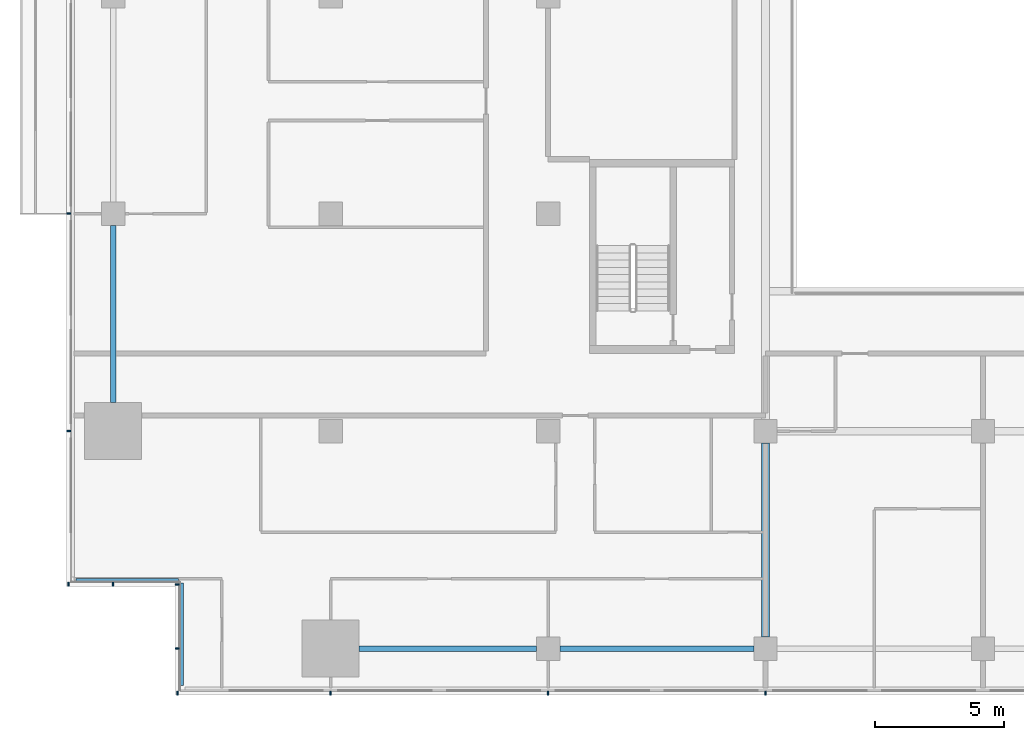
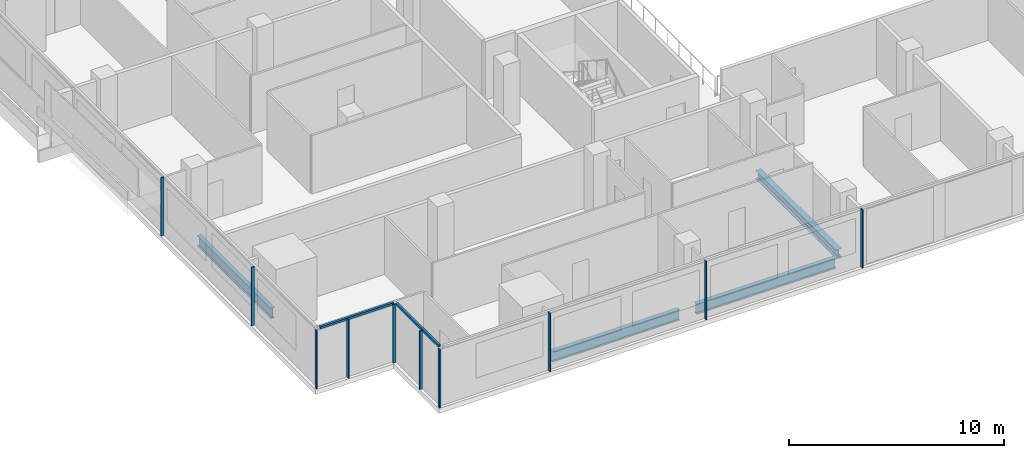
# One storey, part 2 of 25: 12 members, 4 beams, 4 elements without a shape of their own.
"""IFC4 building model written with IfcOpenShell, lengths in metres."""

from ifc_helpers import new_model, si_unit, direction, frame, origin, origin_2d, place, context, subcontext, project, spatial, rectangle, i_section, extrude, material, material_profile, profile_set, type_object, element, aggregate, save


model = new_model("IFC4")

# Units and contexts
model_context = context("Model", 3, precision=1e-05, world=origin(), true_north=direction((0.0, 1.0)))
body_context = subcontext(model_context, "Body", "Model", "MODEL_VIEW")
ifc_project = project(units=[si_unit("LENGTHUNIT", "METRE"), si_unit("AREAUNIT", "SQUARE_METRE"), si_unit("VOLUMEUNIT", "CUBIC_METRE"), si_unit("PLANEANGLEUNIT", "RADIAN"), si_unit("MASSUNIT", "GRAM", prefix="KILO")], contexts=[model_context])

# Site, building, storey
site_placement = place(None, origin())
site = spatial("IfcSite", under=ifc_project, at=site_placement, CompositionType="ELEMENT")
building_placement = place(site_placement, origin())
building = spatial("IfcBuilding", under=site, at=building_placement, Name="Saffron Gate Tower", CompositionType="ELEMENT")
storey_placement = place(building_placement, frame((0.0, 0.0, 73.199951171875)))
storey = spatial("IfcBuildingStorey", under=building, at=storey_placement, Name="L17", CompositionType="ELEMENT", Elevation=73.199951171875)

# Beams
ifc_material_1 = material(Name="Structural steel S355", Category="steel")
ifc_material_profile_1 = material_profile(ifc_material_1, i_section(OverallWidth=0.219970703125, OverallDepth=0.60009765625, WebThickness=0.011962890625, FlangeThickness=0.01904296875, FilletRadius=0.02392578125, at=origin_2d()))
ifc_profile_set_1 = profile_set([ifc_material_profile_1], Name="Structural steel S355")
beam_type_1 = type_object("IfcBeamType", Name="B16 IPE 600", PredefinedType="SPANDREL", material=ifc_profile_set_1)
for number, where, z_axis, x_axis, name in (
    (1, (49.800048828125, 41.300048828125, -0.579833984375), (0.0, 1.0, 0.0), (-1.0, 0.0, 0.0), "B16 SPANDREL BEAM"),
    (2, (59.300048828125, 31.800048828125, -0.579833984375), (1.0, 0.0, 0.0), (0.0, 1.0, 0.0), "B16 SPANDREL BEAM"),
):
    element("IfcBeam", number, at=place(storey_placement, frame(where, z_axis=z_axis, x_axis=x_axis)), inside=storey, type_object=beam_type_1, Name=name, PredefinedType="SPANDREL", context=body_context, shape_type="SweptSolid", body=[
        extrude(i_section(OverallWidth=0.219970703125, OverallDepth=0.60009765625, WebThickness=0.011962890625, FlangeThickness=0.01904296875, FilletRadius=0.02392578125, at=origin_2d()), origin(), (0.0, 0.0, 1.0), 6.849853515625),
    ])
beam_1_placement = place(storey_placement, frame((67.050048828125, 31.800048828125, -0.579833984375), z_axis=(1.0, 0.0, 0.0), x_axis=(0.0, 1.0, 0.0)))
element("IfcBeam", 3, at=beam_1_placement, inside=storey, type_object=beam_type_1, Name="B16 SPANDREL BEAM", PredefinedType="SPANDREL", context=body_context, shape_type="SweptSolid", body=[
    extrude(i_section(OverallWidth=0.219970703125, OverallDepth=0.60009765625, WebThickness=0.011962890625, FlangeThickness=0.01904296875, FilletRadius=0.02392578125, at=origin_2d()), origin(), (0.0, 0.0, 1.0), 7.5),
])
ifc_material_profile_2 = material_profile(ifc_material_1, i_section(OverallWidth=0.300048828125, OverallDepth=0.489990234375, WebThickness=0.011962890625, FlangeThickness=0.02294921875, FilletRadius=0.027099609375, at=origin_2d()))
ifc_profile_set_2 = profile_set([ifc_material_profile_2], Name="Structural steel S355")
beam_type_2 = type_object("IfcBeamType", Name="B8 HEA 500", PredefinedType="BEAM", material=ifc_profile_set_2)
beam_2_placement = place(storey_placement, frame((75.0, 32.25, -0.52490234375), z_axis=(0.0, 1.0, 0.0), x_axis=(-1.0, 0.0, 0.0)))
element("IfcBeam", 4, at=beam_2_placement, inside=storey, type_object=beam_type_2, Name="B8 FLOOR GIRDER", PredefinedType="BEAM", context=body_context, shape_type="SweptSolid", body=[
    extrude(i_section(OverallWidth=0.300048828125, OverallDepth=0.489990234375, WebThickness=0.011962890625, FlangeThickness=0.02294921875, FilletRadius=0.027099609375, at=origin_2d()), origin(), (0.0, 0.0, 1.0), 7.5),
])

# Curtain wall, members
ifc_material_2 = material(Name="Aluminium, bronze anodised", Category="aluminium")
curtain_wall_type_1 = type_object("IfcCurtainWallType", Name="CWS1 curtain wall front facade", PredefinedType="NOTDEFINED", material=ifc_material_2)
curtain_wall_1_placement = place(storey_placement, origin())
curtain_wall_1 = element("IfcCurtainWall", 5, at=curtain_wall_1_placement, inside=storey, type_object=curtain_wall_type_1, Name="CWS1 run 1", PredefinedType="NOTDEFINED")
ifc_material_profile_3 = material_profile(ifc_material_2, rectangle(XDim=0.159912109375, YDim=0.06005859375, at=origin_2d()))
ifc_profile_set_3 = profile_set([ifc_material_profile_3], Name="Aluminium, bronze anodised")
member_type_1 = type_object("IfcMemberType", Name="CWS1 mullion 60x160", PredefinedType="MULLION", material=ifc_profile_set_3)
member_1_placement = place(storey_placement, frame((52.280029296875, 30.080078125, 0.0), z_axis=(0.0, 0.0, 1.0), x_axis=(0.0, 1.0, 0.0)))
member_1 = element("IfcMember", 6, at=member_1_placement, type_object=member_type_1, Name="CWS1 mullion 1", PredefinedType="MULLION", context=body_context, shape_type="SweptSolid", body=[
    extrude(rectangle(XDim=0.159912109375, YDim=0.06005859375, at=origin_2d()), origin(), (0.0, 0.0, 1.0), 3.320068359375),
])
member_2_placement = place(storey_placement, frame((58.199951171875, 30.080078125, 0.0), z_axis=(0.0, 0.0, 1.0), x_axis=(0.0, 1.0, 0.0)))
member_2 = element("IfcMember", 7, at=member_2_placement, type_object=member_type_1, Name="CWS1 mullion 2", PredefinedType="MULLION", context=body_context, shape_type="SweptSolid", body=[
    extrude(rectangle(XDim=0.159912109375, YDim=0.06005859375, at=origin_2d()), origin(), (0.0, 0.0, 1.0), 3.320068359375),
])
member_3_placement = place(storey_placement, frame((66.60009765625, 30.080078125, 0.0), z_axis=(0.0, 0.0, 1.0), x_axis=(0.0, 1.0, 0.0)))
member_3 = element("IfcMember", 8, at=member_3_placement, type_object=member_type_1, Name="CWS1 mullion 3", PredefinedType="MULLION", context=body_context, shape_type="SweptSolid", body=[
    extrude(rectangle(XDim=0.159912109375, YDim=0.06005859375, at=origin_2d()), origin(), (0.0, 0.0, 1.0), 3.320068359375),
])
member_4_placement = place(storey_placement, frame((75.0, 30.080078125, 0.0), z_axis=(0.0, 0.0, 1.0), x_axis=(0.0, 1.0, 0.0)))
member_4 = element("IfcMember", 9, at=member_4_placement, type_object=member_type_1, Name="CWS1 mullion 4", PredefinedType="MULLION", context=body_context, shape_type="SweptSolid", body=[
    extrude(rectangle(XDim=0.159912109375, YDim=0.06005859375, at=origin_2d()), origin(), (0.0, 0.0, 1.0), 3.320068359375),
])
aggregate(curtain_wall_1, [member_1, member_2, member_3, member_4])

curtain_wall_type_2 = type_object("IfcCurtainWallType", Name="CWS2 curtain wall side facades", PredefinedType="NOTDEFINED", material=ifc_material_2)
curtain_wall_2_placement = place(storey_placement, origin())
curtain_wall_2 = element("IfcCurtainWall", 10, at=curtain_wall_2_placement, inside=storey, type_object=curtain_wall_type_2, Name="CWS2 run 10", PredefinedType="NOTDEFINED")
ifc_material_profile_4 = material_profile(ifc_material_2, rectangle(XDim=0.159912109375, YDim=0.06005859375, at=origin_2d()))
ifc_profile_set_4 = profile_set([ifc_material_profile_4], Name="Aluminium, bronze anodised")
member_type_2 = type_object("IfcMemberType", Name="CWS2 mullion 60x160", PredefinedType="MULLION", material=ifc_profile_set_4)
member_5_placement = place(storey_placement, frame((48.080078125, 48.60009765625, 0.0), z_axis=(0.0, 0.0, 1.0), x_axis=(1.0, 0.0, 0.0)))
member_5 = element("IfcMember", 11, at=member_5_placement, type_object=member_type_2, Name="CWS2 mullion 4", PredefinedType="MULLION", context=body_context, shape_type="SweptSolid", body=[
    extrude(rectangle(XDim=0.159912109375, YDim=0.06005859375, at=origin_2d()), origin(), (0.0, 0.0, 1.0), 3.320068359375),
])
member_6_placement = place(storey_placement, frame((48.080078125, 40.199951171875, 0.0), z_axis=(0.0, 0.0, 1.0), x_axis=(1.0, 0.0, 0.0)))
member_6 = element("IfcMember", 12, at=member_6_placement, type_object=member_type_2, Name="CWS2 mullion 5", PredefinedType="MULLION", context=body_context, shape_type="SweptSolid", body=[
    extrude(rectangle(XDim=0.159912109375, YDim=0.06005859375, at=origin_2d()), origin(), (0.0, 0.0, 1.0), 3.320068359375),
])
aggregate(curtain_wall_2, [member_5, member_6])

# Curtain wall, member
curtain_wall_type_3 = type_object("IfcCurtainWallType", Name="CWS4 curtain wall corner returns", PredefinedType="NOTDEFINED", material=ifc_material_2)
curtain_wall_3_placement = place(storey_placement, origin())
curtain_wall_3 = element("IfcCurtainWall", 13, at=curtain_wall_3_placement, inside=storey, type_object=curtain_wall_type_3, Name="CWS4 run 11", PredefinedType="NOTDEFINED")
ifc_material_profile_5 = material_profile(ifc_material_2, rectangle(XDim=0.1201171875, YDim=0.1201171875, at=origin_2d()))
ifc_profile_set_5 = profile_set([ifc_material_profile_5], Name="Aluminium, bronze anodised")
member_type_3 = type_object("IfcMemberType", Name="CWS4 head transom", PredefinedType="USERDEFINED", material=ifc_profile_set_5)
member_7_placement = place(storey_placement, frame((48.367919921875, 34.447998046875, 3.260009765625), z_axis=(1.0, 0.0, 0.0), x_axis=(0.0, 1.0, 0.0)))
member_7 = element("IfcMember", 14, at=member_7_placement, type_object=member_type_3, Name="CWS4 head transom", ObjectType="TRANSOM", PredefinedType="USERDEFINED", context=body_context, shape_type="SweptSolid", body=[
    extrude(rectangle(XDim=0.1201171875, YDim=0.1201171875, at=origin_2d()), origin(), (0.0, 0.0, 1.0), 3.9599609375),
])

curtain_wall_4_placement = place(storey_placement, origin())
curtain_wall_4 = element("IfcCurtainWall", 15, at=curtain_wall_4_placement, inside=storey, type_object=curtain_wall_type_3, Name="CWS4 run 12", PredefinedType="NOTDEFINED")
member_8_placement = place(storey_placement, frame((52.447998046875, 34.327880859375, 3.260009765625), z_axis=(0.0, -1.0, 0.0), x_axis=(1.0, 0.0, 0.0)))
member_8 = element("IfcMember", 16, at=member_8_placement, type_object=member_type_3, Name="CWS4 head transom", ObjectType="TRANSOM", PredefinedType="USERDEFINED", context=body_context, shape_type="SweptSolid", body=[
    extrude(rectangle(XDim=0.1201171875, YDim=0.1201171875, at=origin_2d()), origin(), (0.0, 0.0, 1.0), 3.9599609375),
])

# Member
ifc_material_profile_6 = material_profile(ifc_material_2, rectangle(XDim=0.159912109375, YDim=0.06005859375, at=origin_2d()))
ifc_profile_set_6 = profile_set([ifc_material_profile_6], Name="Aluminium, bronze anodised")
member_type_4 = type_object("IfcMemberType", Name="CWS4 mullion 60x160", PredefinedType="MULLION", material=ifc_profile_set_6)
member_9_placement = place(storey_placement, frame((48.080078125, 34.280029296875, 0.0), z_axis=(0.0, 0.0, 1.0), x_axis=(0.0, 1.0, 0.0)))
member_9 = element("IfcMember", 17, at=member_9_placement, type_object=member_type_4, Name="CWS4 mullion 1", PredefinedType="MULLION", context=body_context, shape_type="SweptSolid", body=[
    extrude(rectangle(XDim=0.159912109375, YDim=0.06005859375, at=origin_2d()), origin(), (0.0, 0.0, 1.0), 3.320068359375),
])

member_10_placement = place(storey_placement, frame((49.800048828125, 34.280029296875, 0.0), z_axis=(0.0, 0.0, 1.0), x_axis=(0.0, 1.0, 0.0)))
member_10 = element("IfcMember", 18, at=member_10_placement, type_object=member_type_4, Name="CWS4 mullion 2", PredefinedType="MULLION", context=body_context, shape_type="SweptSolid", body=[
    extrude(rectangle(XDim=0.159912109375, YDim=0.06005859375, at=origin_2d()), origin(), (0.0, 0.0, 1.0), 3.320068359375),
])

aggregate(curtain_wall_3, [member_9, member_10, member_7])

member_11_placement = place(storey_placement, frame((52.280029296875, 34.280029296875, 0.0), z_axis=(0.0, 0.0, 1.0), x_axis=(1.0, 0.0, 0.0)))
member_11 = element("IfcMember", 19, at=member_11_placement, type_object=member_type_4, Name="CWS4 mullion 1", PredefinedType="MULLION", context=body_context, shape_type="SweptSolid", body=[
    extrude(rectangle(XDim=0.159912109375, YDim=0.06005859375, at=origin_2d()), origin(), (0.0, 0.0, 1.0), 3.320068359375),
])

member_12_placement = place(storey_placement, frame((52.280029296875, 31.800048828125, 0.0), z_axis=(0.0, 0.0, 1.0), x_axis=(1.0, 0.0, 0.0)))
member_12 = element("IfcMember", 20, at=member_12_placement, type_object=member_type_4, Name="CWS4 mullion 2", PredefinedType="MULLION", context=body_context, shape_type="SweptSolid", body=[
    extrude(rectangle(XDim=0.159912109375, YDim=0.06005859375, at=origin_2d()), origin(), (0.0, 0.0, 1.0), 3.320068359375),
])

aggregate(curtain_wall_4, [member_11, member_12, member_8])

save(model, "model.ifc")
